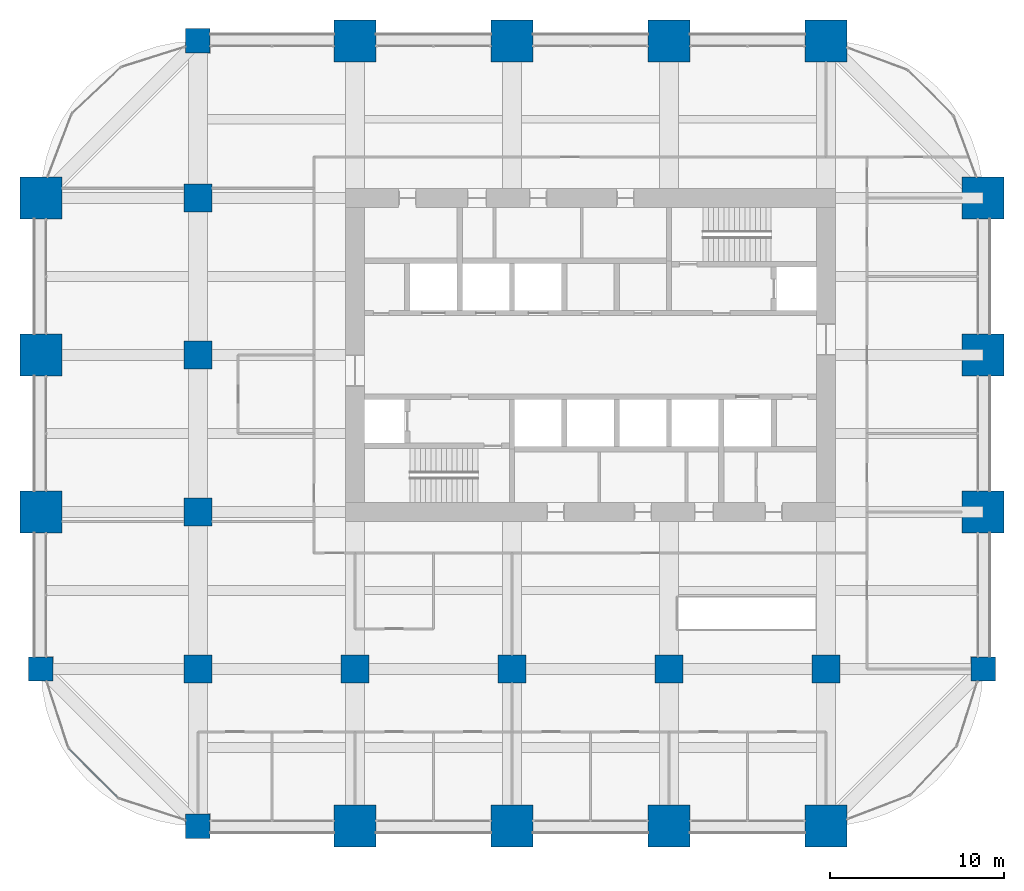
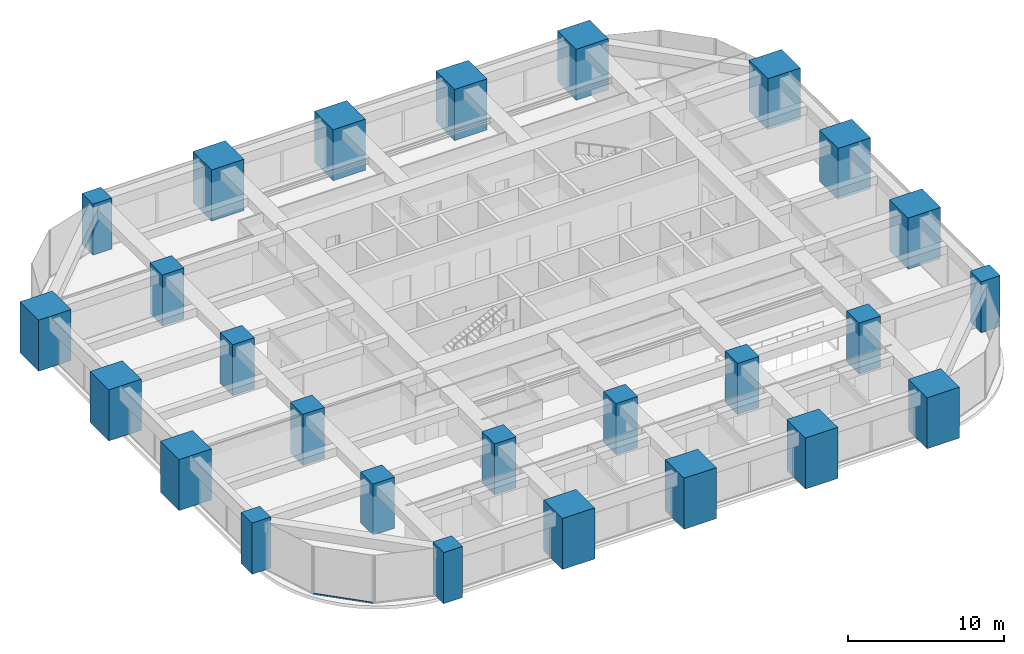
# One storey, part 1 of 33: 26 columns, 1 member, 1 element without a shape of its own.
"""IFC4 building model written with IfcOpenShell, lengths in metres."""

from ifc_helpers import new_model, si_unit, direction, frame, origin, origin_2d, place, context, subcontext, project, spatial, rectangle, hollow_rectangle, extrude, material, material_profile, profile_set, type_object, element, aggregate, save


model = new_model("IFC4")

# Units and contexts
model_context = context("Model", 3, precision=1e-05, world=origin(), true_north=direction((0.0, 1.0)))
body_context = subcontext(model_context, "Body", "Model", "MODEL_VIEW")
ifc_project = project(units=[si_unit("LENGTHUNIT", "METRE"), si_unit("AREAUNIT", "SQUARE_METRE"), si_unit("VOLUMEUNIT", "CUBIC_METRE"), si_unit("PLANEANGLEUNIT", "RADIAN"), si_unit("MASSUNIT", "GRAM", prefix="KILO")], contexts=[model_context])

# Site, building, storey
site_placement = place(None, origin())
site = spatial("IfcSite", under=ifc_project, at=site_placement, CompositionType="ELEMENT")
building_placement = place(site_placement, origin())
building = spatial("IfcBuilding", under=site, at=building_placement, Name="Zorevar Civic Tower", CompositionType="ELEMENT")
storey_placement = place(building_placement, frame((0.0, 0.0, 178.199951171875)))
storey = spatial("IfcBuildingStorey", under=building, at=storey_placement, Name="L43", CompositionType="ELEMENT", Elevation=178.199951171875)

# Columns
ifc_material_1 = material(Name="Concrete C50/60", Category="concrete")
ifc_material_profile_1 = material_profile(ifc_material_1, rectangle(XDim=1.39990234375, YDim=1.39990234375, at=origin_2d()), Name="RC 1400x1400")
ifc_profile_set_1 = profile_set([ifc_material_profile_1], Name="Concrete C50/60")
column_type_1 = type_object("IfcColumnType", Name="Column RC 1400x1400", PredefinedType="COLUMN", material=ifc_profile_set_1)
for number, where, z_axis, x_axis, name in (
    (1, (0.0, 9.0, 0.0), (0.0, 0.0, 1.0), (1.0, 0.0, 0.0), "Column 2B L43"),
    (2, (9.0, 0.0, 0.0), (0.0, 0.0, 1.0), (1.0, 0.0, 0.0), "Column 3A L43"),
    (3, (9.0, 45.0, 0.0), (0.0, 0.0, 1.0), (1.0, 0.0, 0.0), "Column 3F L43"),
    (4, (54.0, 9.0, 0.0), (0.0, 0.0, 1.0), (1.0, 0.0, 0.0), "Column 8B L43"),
):
    element("IfcColumn", number, at=place(storey_placement, frame(where, z_axis=z_axis, x_axis=x_axis)), inside=storey, type_object=column_type_1, Name=name, PredefinedType="COLUMN", context=body_context, shape_type="SweptSolid", body=[
        extrude(rectangle(XDim=1.39990234375, YDim=1.39990234375, at=origin_2d()), origin(), (0.0, 0.0, 1.0), 4.0),
    ])
ifc_material_2 = material(Name="Concrete C50/60", Category="concrete")
ifc_material_profile_2 = material_profile(ifc_material_2, rectangle(XDim=1.60009765625, YDim=1.60009765625, at=origin_2d()), Name="RC 1600x1600")
ifc_profile_set_2 = profile_set([ifc_material_profile_2], Name="Concrete C50/60")
column_type_2 = type_object("IfcColumnType", Name="Column RC 1600x1600", PredefinedType="COLUMN", material=ifc_profile_set_2)
for number, where, z_axis, x_axis, name in (
    (5, (9.0, 9.0, 0.0), (0.0, 0.0, 1.0), (1.0, 0.0, 0.0), "Column 3B L43"),
    (6, (9.0, 18.0, 0.0), (0.0, 0.0, 1.0), (1.0, 0.0, 0.0), "Column 3C L43"),
    (7, (9.0, 27.0, 0.0), (0.0, 0.0, 1.0), (1.0, 0.0, 0.0), "Column 3D L43"),
    (8, (9.0, 36.0, 0.0), (0.0, 0.0, 1.0), (1.0, 0.0, 0.0), "Column 3E L43"),
    (9, (18.0, 9.0, 0.0), (0.0, 0.0, 1.0), (1.0, 0.0, 0.0), "Column 4B L43"),
    (10, (27.0, 9.0, 0.0), (0.0, 0.0, 1.0), (1.0, 0.0, 0.0), "Column 5B L43"),
    (11, (36.0, 9.0, 0.0), (0.0, 0.0, 1.0), (1.0, 0.0, 0.0), "Column 6B L43"),
    (12, (45.0, 9.0, 0.0), (0.0, 0.0, 1.0), (1.0, 0.0, 0.0), "Column 7B L43"),
):
    element("IfcColumn", number, at=place(storey_placement, frame(where, z_axis=z_axis, x_axis=x_axis)), inside=storey, type_object=column_type_2, Name=name, PredefinedType="COLUMN", context=body_context, shape_type="SweptSolid", body=[
        extrude(rectangle(XDim=1.60009765625, YDim=1.60009765625, at=origin_2d()), origin(), (0.0, 0.0, 1.0), 4.0),
    ])
ifc_material_3 = material(Name="Concrete C50/60", Category="concrete")
ifc_material_profile_3 = material_profile(ifc_material_3, rectangle(XDim=2.39990234375, YDim=2.39990234375, at=origin_2d()), Name="RC 2400x2400")
ifc_profile_set_3 = profile_set([ifc_material_profile_3], Name="Concrete C50/60")
column_type_3 = type_object("IfcColumnType", Name="Mega column RC 2400x2400", PredefinedType="COLUMN", material=ifc_profile_set_3)
for number, where, z_axis, x_axis, name in (
    (13, (0.0, 18.0, 0.0), (0.0, 0.0, 1.0), (1.0, 0.0, 0.0), "Column 2C L43"),
    (14, (0.0, 27.0, 0.0), (0.0, 0.0, 1.0), (1.0, 0.0, 0.0), "Column 2D L43"),
    (15, (0.0, 36.0, 0.0), (0.0, 0.0, 1.0), (1.0, 0.0, 0.0), "Column 2E L43"),
    (16, (18.0, 0.0, 0.0), (0.0, 0.0, 1.0), (1.0, 0.0, 0.0), "Column 4A L43"),
    (17, (18.0, 45.0, 0.0), (0.0, 0.0, 1.0), (1.0, 0.0, 0.0), "Column 4F L43"),
    (18, (27.0, 0.0, 0.0), (0.0, 0.0, 1.0), (1.0, 0.0, 0.0), "Column 5A L43"),
    (19, (27.0, 45.0, 0.0), (0.0, 0.0, 1.0), (1.0, 0.0, 0.0), "Column 5F L43"),
    (20, (36.0, 0.0, 0.0), (0.0, 0.0, 1.0), (1.0, 0.0, 0.0), "Column 6A L43"),
    (21, (36.0, 45.0, 0.0), (0.0, 0.0, 1.0), (1.0, 0.0, 0.0), "Column 6F L43"),
    (22, (45.0, 0.0, 0.0), (0.0, 0.0, 1.0), (1.0, 0.0, 0.0), "Column 7A L43"),
    (23, (45.0, 45.0, 0.0), (0.0, 0.0, 1.0), (1.0, 0.0, 0.0), "Column 7F L43"),
    (24, (54.0, 18.0, 0.0), (0.0, 0.0, 1.0), (1.0, 0.0, 0.0), "Column 8C L43"),
    (25, (54.0, 27.0, 0.0), (0.0, 0.0, 1.0), (1.0, 0.0, 0.0), "Column 8D L43"),
    (26, (54.0, 36.0, 0.0), (0.0, 0.0, 1.0), (1.0, 0.0, 0.0), "Column 8E L43"),
):
    element("IfcColumn", number, at=place(storey_placement, frame(where, z_axis=z_axis, x_axis=x_axis)), inside=storey, type_object=column_type_3, Name=name, PredefinedType="COLUMN", context=body_context, shape_type="SweptSolid", body=[
        extrude(rectangle(XDim=2.39990234375, YDim=2.39990234375, at=origin_2d()), origin(), (0.0, 0.0, 1.0), 4.0),
    ])

# Curtain wall, member
ifc_material_4 = material(Name="Dark grey solar-control glass in black aluminium frame", Category="aluminium")
curtain_wall_type = type_object("IfcCurtainWallType", Name="Curtain wall CW4 high zone", PredefinedType="NOTDEFINED", material=ifc_material_4)
curtain_wall_placement = place(storey_placement, origin())
curtain_wall = element("IfcCurtainWall", 27, at=curtain_wall_placement, inside=storey, type_object=curtain_wall_type, Name="CW4 L43", PredefinedType="NOTDEFINED")
ifc_material_5 = material(Name="Aluminium, black anodised", Category="aluminium")
ifc_material_profile_4 = material_profile(ifc_material_5, hollow_rectangle(XDim=0.06005859375, YDim=0.1201171875, WallThickness=0.0029296875, at=origin_2d()), Name="AL 120x60x3")
ifc_profile_set_4 = profile_set([ifc_material_profile_4], Name="Aluminium, black anodised")
member_type = type_object("IfcMemberType", Name="CW4 transom AL 120x60x3", PredefinedType="USERDEFINED", material=ifc_profile_set_4)
member_placement = place(storey_placement, frame((1.62744140625, 4.406982421875, 0.030029296875), z_axis=(0.707106781187, -0.707106781187, 0.0), x_axis=(0.707106781187, 0.707106781187, 0.0)))
member = element("IfcMember", 28, at=member_placement, type_object=member_type, Name="CW4 sill transom", ObjectType="TRANSOM", PredefinedType="USERDEFINED", context=body_context, shape_type="SweptSolid", body=[
    extrude(hollow_rectangle(XDim=0.06005859375, YDim=0.1201171875, WallThickness=0.0029296875, at=origin_2d()), origin(), (0.0, 0.0, 1.0), 3.930908203125),
])
aggregate(curtain_wall, [member])

save(model, "model.ifc")
